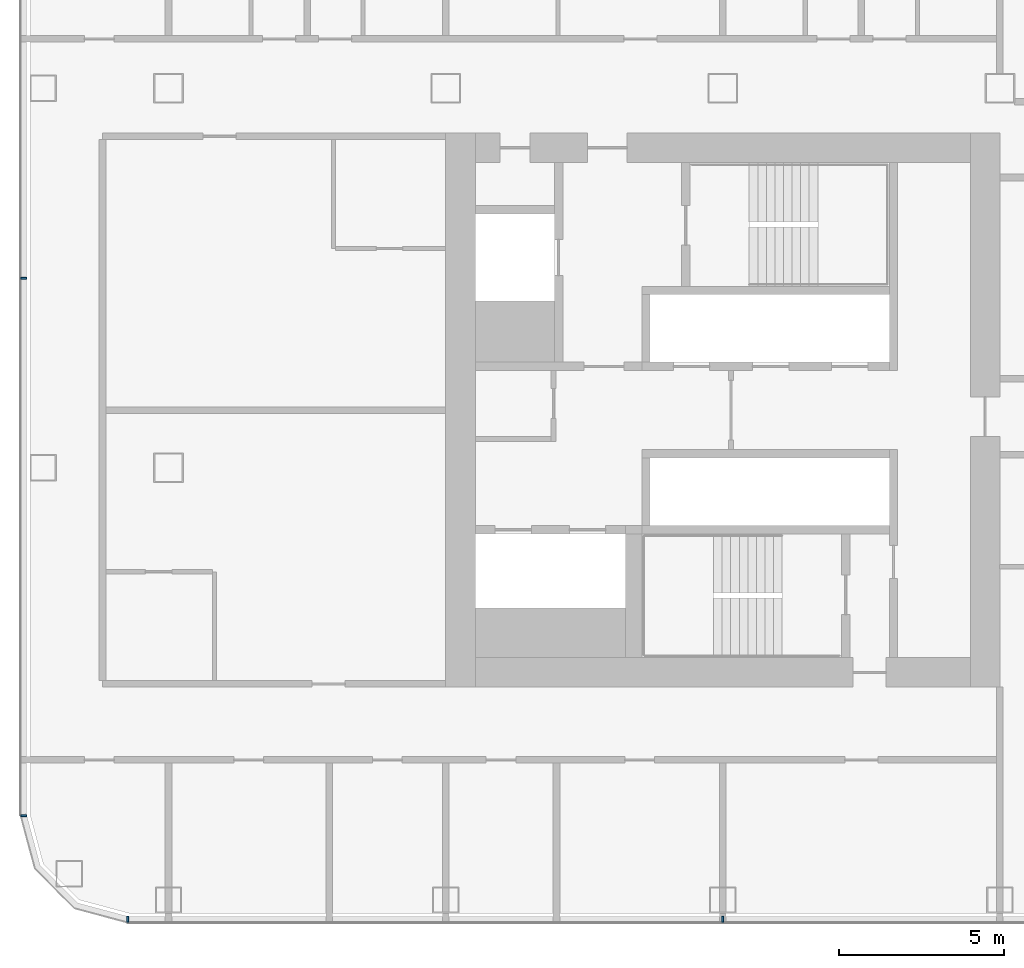
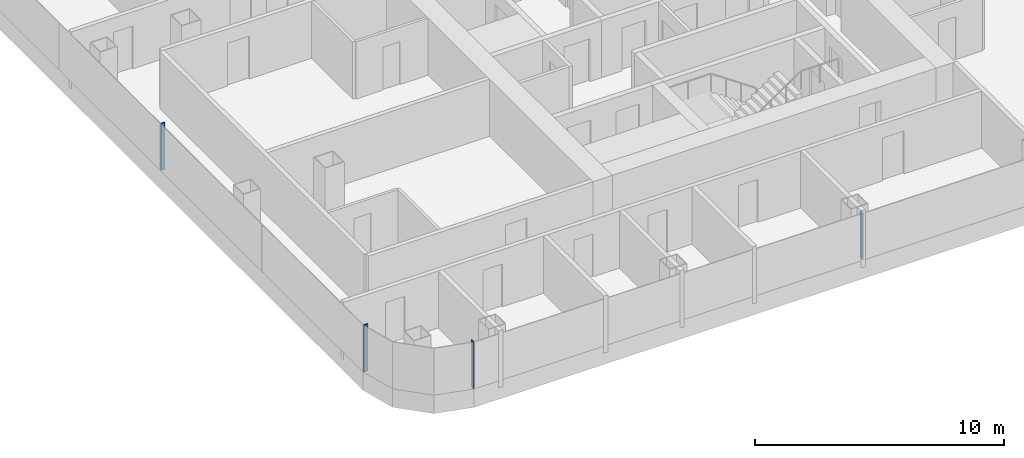
# One storey, part 2 of 29: 4 members, 2 elements without a shape of their own.
"""IFC4 building model written with IfcOpenShell, lengths in metres."""

from ifc_helpers import new_model, si_unit, direction, frame, origin, origin_2d, place, context, subcontext, project, spatial, rectangle, extrude, material, layer, layer_set, material_profile, profile_set, type_object, element, aggregate, save


model = new_model("IFC4")

# Units and contexts
model_context = context("Model", 3, precision=1e-05, world=origin(), true_north=direction((0.0, 1.0)))
body_context = subcontext(model_context, "Body", "Model", "MODEL_VIEW")
ifc_project = project(units=[si_unit("LENGTHUNIT", "METRE"), si_unit("AREAUNIT", "SQUARE_METRE"), si_unit("VOLUMEUNIT", "CUBIC_METRE"), si_unit("PLANEANGLEUNIT", "RADIAN"), si_unit("MASSUNIT", "GRAM", prefix="KILO")], contexts=[model_context])

# Site, building, storey
site_placement = place(None, origin())
site = spatial("IfcSite", under=ifc_project, at=site_placement, CompositionType="ELEMENT")
building_placement = place(site_placement, origin())
building = spatial("IfcBuilding", under=site, at=building_placement, Name="Hakoniwa Tower and Hamabe Station Hall", CompositionType="ELEMENT")
storey_placement = place(building_placement, frame((0.0, 0.0, 113.800048828125)))
storey = spatial("IfcBuildingStorey", under=building, at=storey_placement, Name="L32", CompositionType="ELEMENT", Elevation=113.800048828125)

# Curtain wall, members
ifc_material_1 = material(Name="Dark low-e laminated glass", Category="glass")
ifc_layer = layer(ifc_material_1, 0.199951171875)
ifc_layer_set = layer_set([ifc_layer], Name="CW-1 UNITISED GUEST")
curtain_wall_type = type_object("IfcCurtainWallType", Name="CW-1 UNITISED GUEST", PredefinedType="NOTDEFINED", material=ifc_layer_set)
curtain_wall_1_placement = place(storey_placement, origin())
curtain_wall_1 = element("IfcCurtainWall", 1, at=curtain_wall_1_placement, inside=storey, type_object=curtain_wall_type, Name="CW-1 curtain wall", PredefinedType="NOTDEFINED")
ifc_material_2 = material(Name="Aluminium 6063-T5 black anodised", Category="aluminium")
ifc_material_profile = material_profile(ifc_material_2, rectangle(XDim=0.06005859375, YDim=0.179931640625, at=origin_2d()), Name="CW-1 MULLION 60X180")
ifc_profile_set = profile_set([ifc_material_profile], Name="Aluminium 6063-T5 black anodised")
member_type = type_object("IfcMemberType", Name="CW-1 MULLION 60X180", PredefinedType="MULLION", material=ifc_profile_set)
member_1_placement = place(storey_placement, frame((-46.382080078125, 4.0, 0.349853515625), z_axis=(0.0, 0.0, 1.0), x_axis=(0.0, -1.0, 0.0)))
member_1 = element("IfcMember", 2, at=member_1_placement, type_object=member_type, Name="CW-1 mullion", PredefinedType="MULLION", context=body_context, shape_type="SweptSolid", body=[
    extrude(rectangle(XDim=0.06005859375, YDim=0.179931640625, at=origin_2d()), origin(), (0.0, 0.0, 1.0), 2.300048828125),
])
member_2_placement = place(storey_placement, frame((-46.382080078125, -12.28955078125, 0.349853515625), z_axis=(0.0, 0.0, 1.0), x_axis=(0.0, -1.0, 0.0)))
member_2 = element("IfcMember", 3, at=member_2_placement, type_object=member_type, Name="CW-1 mullion", PredefinedType="MULLION", context=body_context, shape_type="SweptSolid", body=[
    extrude(rectangle(XDim=0.06005859375, YDim=0.179931640625, at=origin_2d()), origin(), (0.0, 0.0, 1.0), 2.300048828125),
])
aggregate(curtain_wall_1, [member_1, member_2])

curtain_wall_2_placement = place(storey_placement, origin())
curtain_wall_2 = element("IfcCurtainWall", 4, at=curtain_wall_2_placement, inside=storey, type_object=curtain_wall_type, Name="CW-1 curtain wall", PredefinedType="NOTDEFINED")
member_3_placement = place(storey_placement, frame((-43.239501953125, -15.431884765625, 0.349853515625), z_axis=(0.0, 0.0, 1.0), x_axis=(1.0, 0.0, 0.0)))
member_3 = element("IfcMember", 5, at=member_3_placement, type_object=member_type, Name="CW-1 mullion", PredefinedType="MULLION", context=body_context, shape_type="SweptSolid", body=[
    extrude(rectangle(XDim=0.06005859375, YDim=0.179931640625, at=origin_2d()), origin(), (0.0, 0.0, 1.0), 2.300048828125),
])
member_4_placement = place(storey_placement, frame((-25.199951171875, -15.431884765625, 0.349853515625), z_axis=(0.0, 0.0, 1.0), x_axis=(1.0, 0.0, 0.0)))
member_4 = element("IfcMember", 6, at=member_4_placement, type_object=member_type, Name="CW-1 mullion", PredefinedType="MULLION", context=body_context, shape_type="SweptSolid", body=[
    extrude(rectangle(XDim=0.06005859375, YDim=0.179931640625, at=origin_2d()), origin(), (0.0, 0.0, 1.0), 2.300048828125),
])
aggregate(curtain_wall_2, [member_3, member_4])

save(model, "model.ifc")
